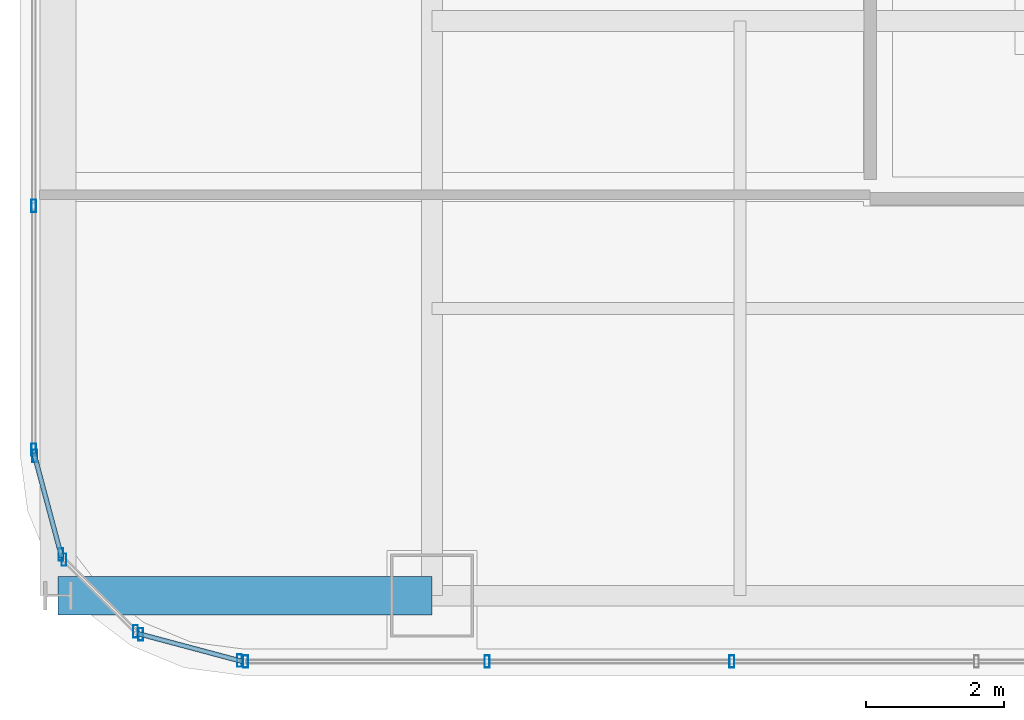
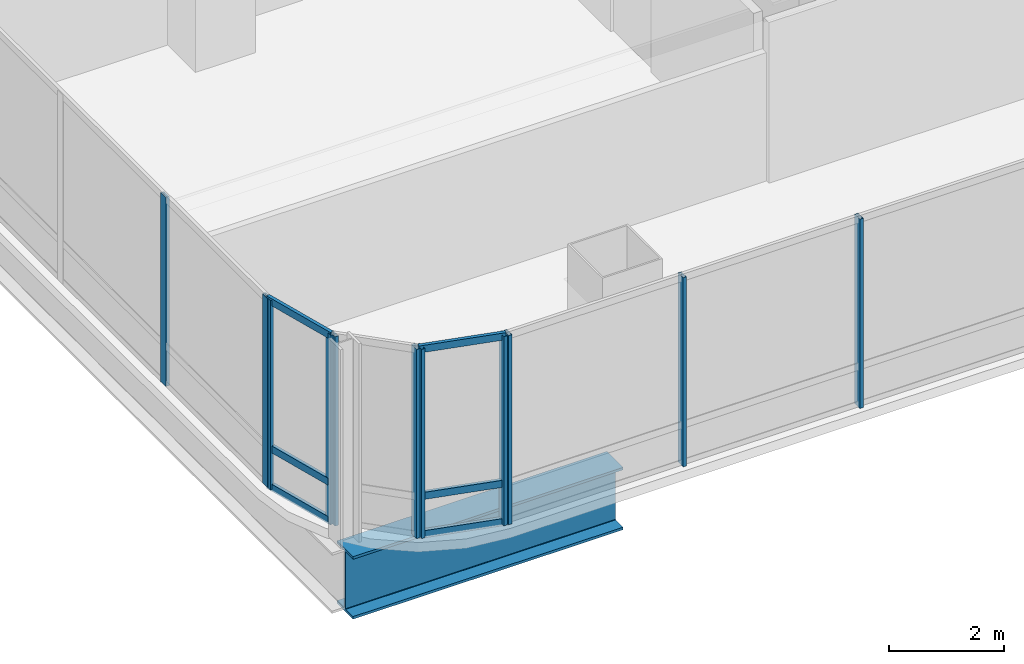
# One storey, part 2 of 41: 17 members, 1 beam, 5 elements without a shape of their own.
"""IFC4 building model written with IfcOpenShell, lengths in metres."""

from ifc_helpers import new_model, si_unit, direction, frame, origin, origin_2d, place, context, subcontext, project, spatial, hollow_rectangle, i_section, extrude, material, material_profile, profile_set, type_object, element, aggregate, save


model = new_model("IFC4")

# Units and contexts
model_context = context("Model", 3, precision=1e-05, world=origin(), true_north=direction((0.0, 1.0)))
body_context = subcontext(model_context, "Body", "Model", "MODEL_VIEW")
ifc_project = project(units=[si_unit("LENGTHUNIT", "METRE"), si_unit("AREAUNIT", "SQUARE_METRE"), si_unit("VOLUMEUNIT", "CUBIC_METRE"), si_unit("PLANEANGLEUNIT", "RADIAN"), si_unit("MASSUNIT", "GRAM", prefix="KILO")], contexts=[model_context])

# Site, building, storey
site_placement = place(None, origin())
site = spatial("IfcSite", under=ifc_project, at=site_placement, CompositionType="ELEMENT")
building_placement = place(site_placement, origin())
building = spatial("IfcBuilding", under=site, at=building_placement, Name="Punatoya Terracotta Tower", CompositionType="ELEMENT")
storey_placement = place(building_placement, frame((0.0, 0.0, 292.199951171875)))
storey = spatial("IfcBuildingStorey", under=building, at=storey_placement, Name="L69", CompositionType="ELEMENT", Elevation=292.199951171875)

# Beam
ifc_material_1 = material(Name="Steel S460", Category="steel")
ifc_material_profile_1 = material_profile(ifc_material_1, i_section(OverallWidth=0.56005859375, OverallDepth=1.320068359375, WebThickness=0.035888671875, FlangeThickness=0.054931640625, FilletRadius=0.01806640625, at=origin_2d()))
ifc_profile_set_1 = profile_set([ifc_material_profile_1], Name="Steel S460")
beam_type = type_object("IfcBeamType", Name="BM-TG-BLK", PredefinedType="BEAM", material=ifc_profile_set_1)
beam_placement = place(storey_placement, frame((-24.5, -17.5, -0.85986328125), z_axis=(1.0, 0.0, 0.0), x_axis=(0.0, 1.0, 0.0)))
element("IfcBeam", 1, at=beam_placement, inside=storey, type_object=beam_type, Name="BM-L69-CANT-W1", PredefinedType="BEAM", context=body_context, shape_type="SweptSolid", body=[
    extrude(i_section(OverallWidth=0.56005859375, OverallDepth=1.320068359375, WebThickness=0.035888671875, FlangeThickness=0.054931640625, FilletRadius=0.01806640625, at=origin_2d()), origin(), (0.0, 0.0, 1.0), 5.39990234375),
])

# Curtain wall, members
ifc_material_2 = material(Name="Aluminium 6063-T6 + Double Low-E Glass", Category="aluminium")
curtain_wall_type = type_object("IfcCurtainWallType", Name="CW-M3", PredefinedType="NOTDEFINED", material=ifc_material_2)
curtain_wall_1_placement = place(storey_placement, origin())
curtain_wall_1 = element("IfcCurtainWall", 2, at=curtain_wall_1_placement, inside=storey, type_object=curtain_wall_type, Name="L69 Curtain Wall CW-L69-S01-1", PredefinedType="NOTDEFINED")
ifc_material_3 = material(Name="Aluminium 6063-T6", Category="aluminium")
ifc_material_profile_2 = material_profile(ifc_material_3, hollow_rectangle(XDim=0.070068359375, YDim=0.179931640625, WallThickness=0.00390625, at=origin_2d()))
ifc_profile_set_2 = profile_set([ifc_material_profile_2], Name="Aluminium 6063-T6")
member_type_1 = type_object("IfcMemberType", Name="CW-MUL-M3", PredefinedType="MULLION", material=ifc_profile_set_2)
member_1_placement = place(storey_placement, frame((-21.7919921875, -18.449951171875, 0.0), z_axis=(0.0, 0.0, 1.0), x_axis=(1.0, 0.0, 0.0)))
member_1 = element("IfcMember", 3, at=member_1_placement, type_object=member_type_1, Name="CW-L69-S01-1 Mullion 00", PredefinedType="MULLION", context=body_context, shape_type="SweptSolid", body=[
    extrude(hollow_rectangle(XDim=0.070068359375, YDim=0.179931640625, WallThickness=0.00390625, at=origin_2d()), origin(), (0.0, 0.0, 1.0), 4.0),
])
member_2_placement = place(storey_placement, frame((-18.302978515625, -18.449951171875, 0.0), z_axis=(0.0, 0.0, 1.0), x_axis=(1.0, 0.0, 0.0)))
member_2 = element("IfcMember", 4, at=member_2_placement, type_object=member_type_1, Name="CW-L69-S01-1 Mullion 01", PredefinedType="MULLION", context=body_context, shape_type="SweptSolid", body=[
    extrude(hollow_rectangle(XDim=0.070068359375, YDim=0.179931640625, WallThickness=0.00390625, at=origin_2d()), origin(), (0.0, 0.0, 1.0), 4.0),
])
member_3_placement = place(storey_placement, frame((-14.768798828125, -18.449951171875, 0.0), z_axis=(0.0, 0.0, 1.0), x_axis=(1.0, 0.0, 0.0)))
member_3 = element("IfcMember", 5, at=member_3_placement, type_object=member_type_1, Name="CW-L69-S01-1 Mullion 02", PredefinedType="MULLION", context=body_context, shape_type="SweptSolid", body=[
    extrude(hollow_rectangle(XDim=0.070068359375, YDim=0.179931640625, WallThickness=0.00390625, at=origin_2d()), origin(), (0.0, 0.0, 1.0), 4.0),
])
aggregate(curtain_wall_1, [member_1, member_2, member_3])

curtain_wall_2_placement = place(storey_placement, origin())
curtain_wall_2 = element("IfcCurtainWall", 6, at=curtain_wall_2_placement, inside=storey, type_object=curtain_wall_type, Name="L69 Curtain Wall CW-L69-W13-1", PredefinedType="NOTDEFINED")
member_4_placement = place(storey_placement, frame((-24.85009765625, -11.869384765625, 0.0), z_axis=(0.0, 0.0, 1.0), x_axis=(1.0, 0.0, 0.0)))
member_4 = element("IfcMember", 7, at=member_4_placement, type_object=member_type_1, Name="CW-L69-W13-1 Mullion 09", PredefinedType="MULLION", context=body_context, shape_type="SweptSolid", body=[
    extrude(hollow_rectangle(XDim=0.070068359375, YDim=0.179931640625, WallThickness=0.00390625, at=origin_2d()), origin(), (0.0, 0.0, 1.0), 4.0),
])
member_5_placement = place(storey_placement, frame((-24.85009765625, -15.391845703125, 0.0), z_axis=(0.0, 0.0, 1.0), x_axis=(1.0, 0.0, 0.0)))
member_5 = element("IfcMember", 8, at=member_5_placement, type_object=member_type_1, Name="CW-L69-W13-1 Mullion 10", PredefinedType="MULLION", context=body_context, shape_type="SweptSolid", body=[
    extrude(hollow_rectangle(XDim=0.070068359375, YDim=0.179931640625, WallThickness=0.00390625, at=origin_2d()), origin(), (0.0, 0.0, 1.0), 4.0),
])
aggregate(curtain_wall_2, [member_4, member_5])

curtain_wall_3_placement = place(storey_placement, origin())
curtain_wall_3 = element("IfcCurtainWall", 9, at=curtain_wall_3_placement, inside=storey, type_object=curtain_wall_type, Name="L69 Curtain Wall CW-L69-CRN14", PredefinedType="NOTDEFINED")
member_6_placement = place(storey_placement, frame((-24.83837890625, -15.48046875, 0.0), z_axis=(0.0, 0.0, 1.0), x_axis=(1.0, 0.0, 0.0)))
member_6 = element("IfcMember", 10, at=member_6_placement, type_object=member_type_1, Name="CW-L69-CRN14 Mullion 00", PredefinedType="MULLION", context=body_context, shape_type="SweptSolid", body=[
    extrude(hollow_rectangle(XDim=0.070068359375, YDim=0.179931640625, WallThickness=0.00390625, at=origin_2d()), origin(), (0.0, 0.0, 1.0), 4.0),
])
member_7_placement = place(storey_placement, frame((-24.458251953125, -16.905517578125, 0.0), z_axis=(0.0, 0.0, 1.0), x_axis=(1.0, 0.0, 0.0)))
member_7 = element("IfcMember", 11, at=member_7_placement, type_object=member_type_1, Name="CW-L69-CRN14 Mullion 01", PredefinedType="MULLION", context=body_context, shape_type="SweptSolid", body=[
    extrude(hollow_rectangle(XDim=0.070068359375, YDim=0.179931640625, WallThickness=0.00390625, at=origin_2d()), origin(), (0.0, 0.0, 1.0), 4.0),
])

curtain_wall_4_placement = place(storey_placement, origin())
curtain_wall_4 = element("IfcCurtainWall", 12, at=curtain_wall_4_placement, inside=storey, type_object=curtain_wall_type, Name="L69 Curtain Wall CW-L69-CRN15", PredefinedType="NOTDEFINED")
member_8_placement = place(storey_placement, frame((-24.414794921875, -16.98095703125, 0.0), z_axis=(0.0, 0.0, 1.0), x_axis=(1.0, 0.0, 0.0)))
member_8 = element("IfcMember", 13, at=member_8_placement, type_object=member_type_1, Name="CW-L69-CRN15 Mullion 00", PredefinedType="MULLION", context=body_context, shape_type="SweptSolid", body=[
    extrude(hollow_rectangle(XDim=0.070068359375, YDim=0.179931640625, WallThickness=0.00390625, at=origin_2d()), origin(), (0.0, 0.0, 1.0), 4.0),
])
member_9_placement = place(storey_placement, frame((-23.380859375, -18.014892578125, 0.0), z_axis=(0.0, 0.0, 1.0), x_axis=(1.0, 0.0, 0.0)))
member_9 = element("IfcMember", 14, at=member_9_placement, type_object=member_type_1, Name="CW-L69-CRN15 Mullion 01", PredefinedType="MULLION", context=body_context, shape_type="SweptSolid", body=[
    extrude(hollow_rectangle(XDim=0.070068359375, YDim=0.179931640625, WallThickness=0.00390625, at=origin_2d()), origin(), (0.0, 0.0, 1.0), 4.0),
])
aggregate(curtain_wall_4, [member_8, member_9])

curtain_wall_5_placement = place(storey_placement, origin())
curtain_wall_5 = element("IfcCurtainWall", 15, at=curtain_wall_5_placement, inside=storey, type_object=curtain_wall_type, Name="L69 Curtain Wall CW-L69-CRN16", PredefinedType="NOTDEFINED")
member_10_placement = place(storey_placement, frame((-23.3056640625, -18.05810546875, 0.0), z_axis=(0.0, 0.0, 1.0), x_axis=(1.0, 0.0, 0.0)))
member_10 = element("IfcMember", 16, at=member_10_placement, type_object=member_type_1, Name="CW-L69-CRN16 Mullion 00", PredefinedType="MULLION", context=body_context, shape_type="SweptSolid", body=[
    extrude(hollow_rectangle(XDim=0.070068359375, YDim=0.179931640625, WallThickness=0.00390625, at=origin_2d()), origin(), (0.0, 0.0, 1.0), 4.0),
])
member_11_placement = place(storey_placement, frame((-21.88037109375, -18.4384765625, 0.0), z_axis=(0.0, 0.0, 1.0), x_axis=(1.0, 0.0, 0.0)))
member_11 = element("IfcMember", 17, at=member_11_placement, type_object=member_type_1, Name="CW-L69-CRN16 Mullion 01", PredefinedType="MULLION", context=body_context, shape_type="SweptSolid", body=[
    extrude(hollow_rectangle(XDim=0.070068359375, YDim=0.179931640625, WallThickness=0.00390625, at=origin_2d()), origin(), (0.0, 0.0, 1.0), 4.0),
])

# Member
ifc_material_profile_3 = material_profile(ifc_material_3, hollow_rectangle(XDim=0.068115234375, YDim=0.14990234375, WallThickness=0.00390625, at=origin_2d()))
ifc_profile_set_3 = profile_set([ifc_material_profile_3], Name="Aluminium 6063-T6")
member_type_2 = type_object("IfcMemberType", Name="CW-TRN-TYP", PredefinedType="USERDEFINED", material=ifc_profile_set_3)
member_12_placement = place(storey_placement, frame((-24.85009765625, -15.43701171875, 0.0400390625), z_axis=(0.257847112249, -0.966185730957, 0.0), x_axis=(0.966185730957, 0.257847112249, 0.0)))
member_12 = element("IfcMember", 18, at=member_12_placement, type_object=member_type_2, Name="CW-L69-CRN14 Transom 1", ObjectType="TRANSOM", PredefinedType="USERDEFINED", context=body_context, shape_type="SweptSolid", body=[
    extrude(hollow_rectangle(XDim=0.068115234375, YDim=0.14990234375, WallThickness=0.00390625, at=origin_2d()), origin(), (0.0, 0.0, 1.0), 1.565185546875),
])

member_13_placement = place(storey_placement, frame((-24.85009765625, -15.43701171875, 0.85009765625), z_axis=(0.257847112249, -0.966185730957, 0.0), x_axis=(0.966185730957, 0.257847112249, 0.0)))
member_13 = element("IfcMember", 19, at=member_13_placement, type_object=member_type_2, Name="CW-L69-CRN14 Transom 2", ObjectType="TRANSOM", PredefinedType="USERDEFINED", context=body_context, shape_type="SweptSolid", body=[
    extrude(hollow_rectangle(XDim=0.068115234375, YDim=0.14990234375, WallThickness=0.00390625, at=origin_2d()), origin(), (0.0, 0.0, 1.0), 1.565185546875),
])

member_14_placement = place(storey_placement, frame((-24.85009765625, -15.43701171875, 3.9599609375), z_axis=(0.257847112249, -0.966185730957, 0.0), x_axis=(0.966185730957, 0.257847112249, 0.0)))
member_14 = element("IfcMember", 20, at=member_14_placement, type_object=member_type_2, Name="CW-L69-CRN14 Transom 3", ObjectType="TRANSOM", PredefinedType="USERDEFINED", context=body_context, shape_type="SweptSolid", body=[
    extrude(hollow_rectangle(XDim=0.068115234375, YDim=0.14990234375, WallThickness=0.00390625, at=origin_2d()), origin(), (0.0, 0.0, 1.0), 1.565185546875),
])

aggregate(curtain_wall_3, [member_6, member_7, member_12, member_13, member_14])

member_15_placement = place(storey_placement, frame((-23.34912109375, -18.046630859375, 0.0400390625), z_axis=(0.966224582397, -0.257701486942, 0.0), x_axis=(0.257701486942, 0.966224582397, 0.0)))
member_15 = element("IfcMember", 21, at=member_15_placement, type_object=member_type_2, Name="CW-L69-CRN16 Transom 1", ObjectType="TRANSOM", PredefinedType="USERDEFINED", context=body_context, shape_type="SweptSolid", body=[
    extrude(hollow_rectangle(XDim=0.068115234375, YDim=0.14990234375, WallThickness=0.00390625, at=origin_2d()), origin(), (0.0, 0.0, 1.0), 1.565185546875),
])

member_16_placement = place(storey_placement, frame((-23.34912109375, -18.046630859375, 0.85009765625), z_axis=(0.966224582397, -0.257701486942, 0.0), x_axis=(0.257701486942, 0.966224582397, 0.0)))
member_16 = element("IfcMember", 22, at=member_16_placement, type_object=member_type_2, Name="CW-L69-CRN16 Transom 2", ObjectType="TRANSOM", PredefinedType="USERDEFINED", context=body_context, shape_type="SweptSolid", body=[
    extrude(hollow_rectangle(XDim=0.068115234375, YDim=0.14990234375, WallThickness=0.00390625, at=origin_2d()), origin(), (0.0, 0.0, 1.0), 1.565185546875),
])

member_17_placement = place(storey_placement, frame((-23.34912109375, -18.046630859375, 3.9599609375), z_axis=(0.966224582397, -0.257701486942, 0.0), x_axis=(0.257701486942, 0.966224582397, 0.0)))
member_17 = element("IfcMember", 23, at=member_17_placement, type_object=member_type_2, Name="CW-L69-CRN16 Transom 3", ObjectType="TRANSOM", PredefinedType="USERDEFINED", context=body_context, shape_type="SweptSolid", body=[
    extrude(hollow_rectangle(XDim=0.068115234375, YDim=0.14990234375, WallThickness=0.00390625, at=origin_2d()), origin(), (0.0, 0.0, 1.0), 1.565185546875),
])

aggregate(curtain_wall_5, [member_10, member_11, member_15, member_16, member_17])

save(model, "model.ifc")
